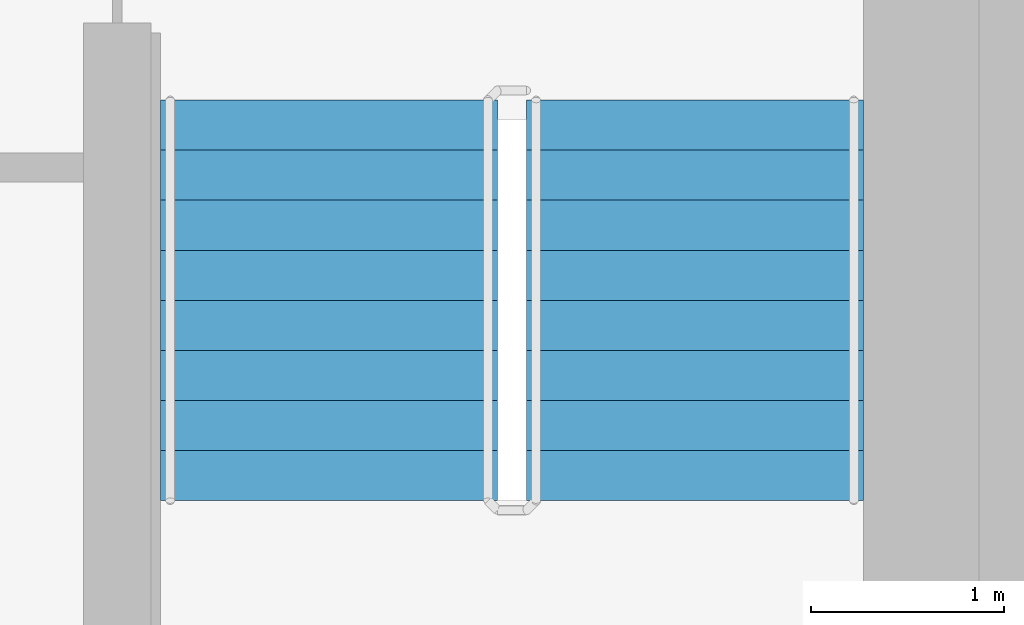
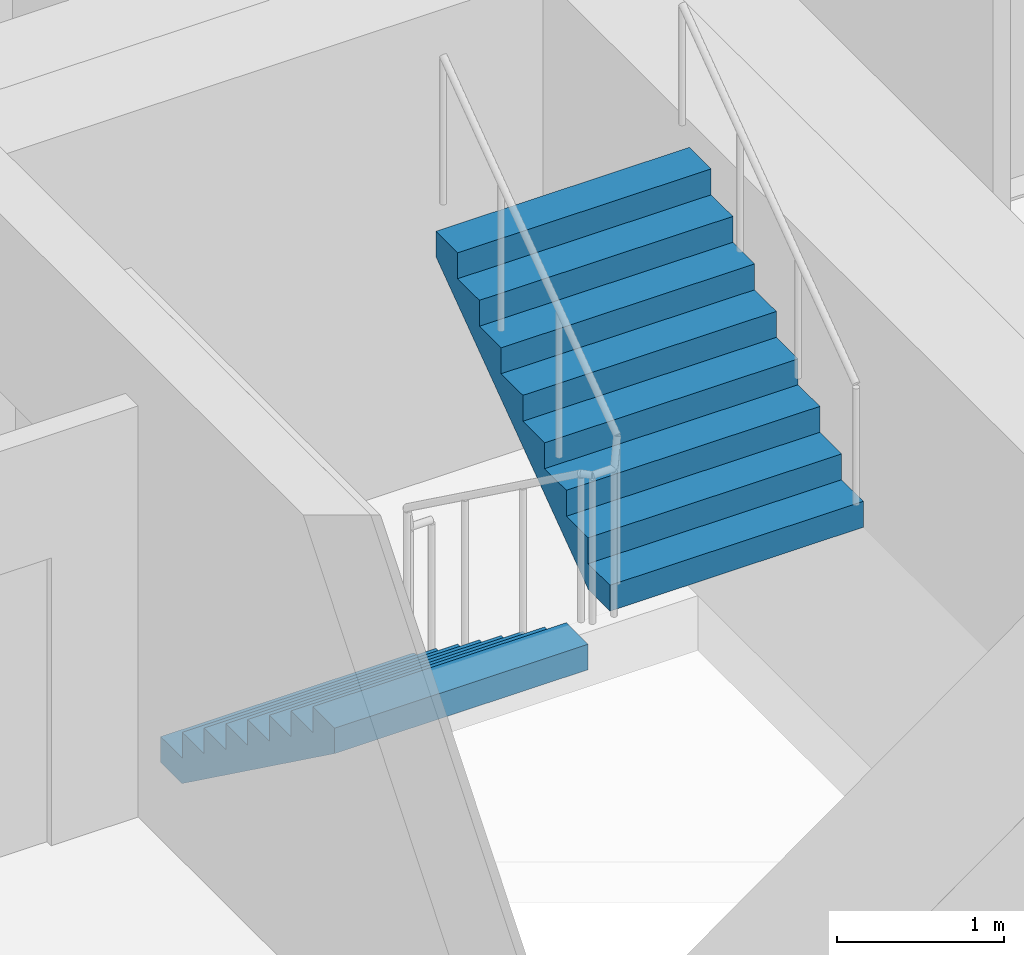
# One storey, part 15 of 19: 2 stair flights, 1 element without a shape of its own.
"""IFC4 building model written with IfcOpenShell, lengths in metres."""

from ifc_helpers import new_model, si_unit, direction, frame, origin, place, context, subcontext, project, spatial, faceted_brep, material, type_object, element, aggregate, save


model = new_model("IFC4")

# Units and contexts
model_context = context("Model", 3, precision=1e-05, world=origin(), true_north=direction((0.0, 1.0)))
body_context = subcontext(model_context, "Body", "Model", "MODEL_VIEW")
ifc_project = project(units=[si_unit("LENGTHUNIT", "METRE"), si_unit("AREAUNIT", "SQUARE_METRE"), si_unit("VOLUMEUNIT", "CUBIC_METRE"), si_unit("PLANEANGLEUNIT", "RADIAN"), si_unit("MASSUNIT", "GRAM", prefix="KILO")], contexts=[model_context])

# Site, building, storey
site_placement = place(None, origin())
site = spatial("IfcSite", under=ifc_project, at=site_placement, CompositionType="ELEMENT")
building_placement = place(site_placement, origin())
building = spatial("IfcBuilding", under=site, at=building_placement, Name="Ipe Terrace Towers", CompositionType="ELEMENT")
storey_placement = place(building_placement, frame((0.0, 0.0, 185.800048828125)))
storey = spatial("IfcBuildingStorey", under=building, at=storey_placement, Name="L51", CompositionType="ELEMENT", Elevation=185.800048828125)

# Stair, stair flights
ifc_material_1 = material(Name="Concrete C30/37", Category="concrete")
stair_type = type_object("IfcStairType", Name="Protected exit stair", PredefinedType="HALF_TURN_STAIR", material=ifc_material_1)
stair_placement = place(storey_placement, origin())
stair = element("IfcStair", 1, at=stair_placement, inside=storey, type_object=stair_type, Name="L51 Exit stair T2-C2", PredefinedType="HALF_TURN_STAIR")
ifc_material_2 = material(Name="Concrete C30/37", Category="concrete")
stair_flight_type = type_object("IfcStairFlightType", Name="Exit stair flight 1750", PredefinedType="STRAIGHT", material=ifc_material_2)
stair_flight_1_placement = place(storey_placement, frame((38.77490234375, -9.699951171875, 0.0), z_axis=(0.0, 0.0, 1.0), x_axis=(0.0, -1.0, 0.0)))
stair_flight_1 = element("IfcStairFlight", 2, at=stair_flight_1_placement, type_object=stair_flight_type, Name="T2-ST2 flight 1", NumberOfRisers=9, NumberOfTreads=8, PredefinedType="STRAIGHT", RiserHeight=0.188888889, TreadLength=0.26, context=body_context, shape_type="Brep", body=[
    faceted_brep([(0.255126953125, -0.875, 0.0), (2.080078125, -0.875, 1.325927734375), (2.080078125, -0.875, 1.51123046875), (1.820068359375, -0.875, 1.51123046875), (1.820068359375, -0.875, 1.322265625), (1.56005859375, -0.875, 1.322265625), (1.56005859375, -0.875, 1.13330078125), (1.300048828125, -0.875, 1.13330078125), (1.300048828125, -0.875, 0.9443359375), (1.0400390625, -0.875, 0.9443359375), (1.0400390625, -0.875, 0.755615234375), (0.780029296875, -0.875, 0.755615234375), (0.780029296875, -0.875, 0.566650390625), (0.52001953125, -0.875, 0.566650390625), (0.52001953125, -0.875, 0.377685546875), (0.260009765625, -0.875, 0.377685546875), (0.260009765625, -0.875, 0.18896484375), (0.0, -0.875, 0.18896484375), (0.0, -0.875, 0.0), (0.0, 0.875, 0.0), (0.0, 0.875, 0.18896484375), (0.260009765625, 0.875, 0.18896484375), (0.260009765625, 0.875, 0.377685546875), (0.52001953125, 0.875, 0.377685546875), (0.52001953125, 0.875, 0.566650390625), (0.780029296875, 0.875, 0.566650390625), (0.780029296875, 0.875, 0.755615234375), (1.0400390625, 0.875, 0.755615234375), (1.0400390625, 0.875, 0.9443359375), (1.300048828125, 0.875, 0.9443359375), (1.300048828125, 0.875, 1.13330078125), (1.56005859375, 0.875, 1.13330078125), (1.56005859375, 0.875, 1.322265625), (1.820068359375, 0.875, 1.322265625), (1.820068359375, 0.875, 1.51123046875), (2.080078125, 0.875, 1.51123046875), (2.080078125, 0.875, 1.325927734375), (0.255126953125, 0.875, 0.0), (0.0, -0.300048828125, 0.18896484375), (0.0, -0.1201171875, 0.18896484375), (0.0, -0.06005859375, 0.18896484375), (0.0, -0.030029296875, 0.18896484375), (0.0, -0.010009765625, 0.18896484375), (0.0, 0.0, 0.18896484375), (0.0, 0.010009765625, 0.18896484375), (0.0, 0.030029296875, 0.18896484375), (0.0, 0.06005859375, 0.18896484375), (0.0, 0.1201171875, 0.18896484375), (0.0, 0.300048828125, 0.18896484375), (0.0, 0.300048828125, 0.0), (0.0, 0.1201171875, 0.0), (0.0, 0.06005859375, 0.0), (0.0, 0.030029296875, 0.0), (0.0, 0.010009765625, 0.0), (0.0, 0.0, 0.0), (0.0, -0.010009765625, 0.0), (0.0, -0.030029296875, 0.0), (0.0, -0.06005859375, 0.0), (0.0, -0.1201171875, 0.0), (0.0, -0.300048828125, 0.0), (0.260009765625, -0.300048828125, 0.18896484375), (0.260009765625, -0.1201171875, 0.18896484375), (0.260009765625, -0.06005859375, 0.18896484375), (0.260009765625, -0.030029296875, 0.18896484375), (0.260009765625, -0.010009765625, 0.18896484375), (0.260009765625, 0.0, 0.18896484375), (0.260009765625, 0.010009765625, 0.18896484375), (0.260009765625, 0.030029296875, 0.18896484375), (0.260009765625, 0.06005859375, 0.18896484375), (0.260009765625, 0.1201171875, 0.18896484375), (0.260009765625, 0.300048828125, 0.18896484375), (0.260009765625, -0.300048828125, 0.377685546875), (0.260009765625, -0.1201171875, 0.377685546875), (0.260009765625, -0.06005859375, 0.377685546875), (0.260009765625, -0.030029296875, 0.377685546875), (0.260009765625, -0.010009765625, 0.377685546875), (0.260009765625, 0.0, 0.377685546875), (0.260009765625, 0.010009765625, 0.377685546875), (0.260009765625, 0.030029296875, 0.377685546875), (0.260009765625, 0.06005859375, 0.377685546875), (0.260009765625, 0.1201171875, 0.377685546875), (0.260009765625, 0.300048828125, 0.377685546875), (0.52001953125, -0.300048828125, 0.377685546875), (0.52001953125, -0.1201171875, 0.377685546875), (0.52001953125, -0.06005859375, 0.377685546875), (0.52001953125, -0.030029296875, 0.377685546875), (0.52001953125, -0.010009765625, 0.377685546875), (0.52001953125, 0.0, 0.377685546875), (0.52001953125, 0.010009765625, 0.377685546875), (0.52001953125, 0.030029296875, 0.377685546875), (0.52001953125, 0.06005859375, 0.377685546875), (0.52001953125, 0.1201171875, 0.377685546875), (0.52001953125, 0.300048828125, 0.377685546875), (0.52001953125, -0.300048828125, 0.566650390625), (0.52001953125, -0.1201171875, 0.566650390625), (0.52001953125, -0.06005859375, 0.566650390625), (0.52001953125, -0.030029296875, 0.566650390625), (0.52001953125, -0.010009765625, 0.566650390625), (0.52001953125, 0.0, 0.566650390625), (0.52001953125, 0.010009765625, 0.566650390625), (0.52001953125, 0.030029296875, 0.566650390625), (0.52001953125, 0.06005859375, 0.566650390625), (0.52001953125, 0.1201171875, 0.566650390625), (0.52001953125, 0.300048828125, 0.566650390625), (0.780029296875, -0.300048828125, 0.566650390625), (0.780029296875, -0.1201171875, 0.566650390625), (0.780029296875, -0.06005859375, 0.566650390625), (0.780029296875, -0.030029296875, 0.566650390625), (0.780029296875, -0.010009765625, 0.566650390625), (0.780029296875, 0.0, 0.566650390625), (0.780029296875, 0.010009765625, 0.566650390625), (0.780029296875, 0.030029296875, 0.566650390625), (0.780029296875, 0.06005859375, 0.566650390625), (0.780029296875, 0.1201171875, 0.566650390625), (0.780029296875, 0.300048828125, 0.566650390625), (0.780029296875, -0.300048828125, 0.755615234375), (0.780029296875, -0.1201171875, 0.755615234375), (0.780029296875, -0.06005859375, 0.755615234375), (0.780029296875, -0.030029296875, 0.755615234375), (0.780029296875, -0.010009765625, 0.755615234375), (0.780029296875, 0.0, 0.755615234375), (0.780029296875, 0.010009765625, 0.755615234375), (0.780029296875, 0.030029296875, 0.755615234375), (0.780029296875, 0.06005859375, 0.755615234375), (0.780029296875, 0.1201171875, 0.755615234375), (0.780029296875, 0.300048828125, 0.755615234375), (1.0400390625, -0.300048828125, 0.755615234375), (1.0400390625, -0.1201171875, 0.755615234375), (1.0400390625, -0.06005859375, 0.755615234375), (1.0400390625, -0.030029296875, 0.755615234375), (1.0400390625, -0.010009765625, 0.755615234375), (1.0400390625, 0.0, 0.755615234375), (1.0400390625, 0.010009765625, 0.755615234375), (1.0400390625, 0.030029296875, 0.755615234375), (1.0400390625, 0.06005859375, 0.755615234375), (1.0400390625, 0.1201171875, 0.755615234375), (1.0400390625, 0.300048828125, 0.755615234375), (1.0400390625, -0.300048828125, 0.9443359375), (1.0400390625, -0.1201171875, 0.9443359375), (1.0400390625, -0.06005859375, 0.9443359375), (1.0400390625, -0.030029296875, 0.9443359375), (1.0400390625, -0.010009765625, 0.9443359375), (1.0400390625, 0.0, 0.9443359375), (1.0400390625, 0.010009765625, 0.9443359375), (1.0400390625, 0.030029296875, 0.9443359375), (1.0400390625, 0.06005859375, 0.9443359375), (1.0400390625, 0.1201171875, 0.9443359375), (1.0400390625, 0.300048828125, 0.9443359375), (1.300048828125, -0.300048828125, 0.9443359375), (1.300048828125, -0.1201171875, 0.9443359375), (1.300048828125, -0.06005859375, 0.9443359375), (1.300048828125, -0.030029296875, 0.9443359375), (1.300048828125, -0.010009765625, 0.9443359375), (1.300048828125, 0.0, 0.9443359375), (1.300048828125, 0.010009765625, 0.9443359375), (1.300048828125, 0.030029296875, 0.9443359375), (1.300048828125, 0.06005859375, 0.9443359375), (1.300048828125, 0.1201171875, 0.9443359375), (1.300048828125, 0.300048828125, 0.9443359375), (1.300048828125, -0.300048828125, 1.13330078125), (1.300048828125, -0.1201171875, 1.13330078125), (1.300048828125, -0.06005859375, 1.13330078125), (1.300048828125, -0.030029296875, 1.13330078125), (1.300048828125, -0.010009765625, 1.13330078125), (1.300048828125, 0.0, 1.13330078125), (1.300048828125, 0.010009765625, 1.13330078125), (1.300048828125, 0.030029296875, 1.13330078125), (1.300048828125, 0.06005859375, 1.13330078125), (1.300048828125, 0.1201171875, 1.13330078125), (1.300048828125, 0.300048828125, 1.13330078125), (1.56005859375, -0.300048828125, 1.13330078125), (1.56005859375, -0.1201171875, 1.13330078125), (1.56005859375, -0.06005859375, 1.13330078125), (1.56005859375, -0.030029296875, 1.13330078125), (1.56005859375, -0.010009765625, 1.13330078125), (1.56005859375, 0.0, 1.13330078125), (1.56005859375, 0.010009765625, 1.13330078125), (1.56005859375, 0.030029296875, 1.13330078125), (1.56005859375, 0.06005859375, 1.13330078125), (1.56005859375, 0.1201171875, 1.13330078125), (1.56005859375, 0.300048828125, 1.13330078125), (1.56005859375, -0.300048828125, 1.322265625), (1.56005859375, -0.1201171875, 1.322265625), (1.56005859375, -0.06005859375, 1.322265625), (1.56005859375, -0.030029296875, 1.322265625), (1.56005859375, -0.010009765625, 1.322265625), (1.56005859375, 0.0, 1.322265625), (1.56005859375, 0.010009765625, 1.322265625), (1.56005859375, 0.030029296875, 1.322265625), (1.56005859375, 0.06005859375, 1.322265625), (1.56005859375, 0.1201171875, 1.322265625), (1.56005859375, 0.300048828125, 1.322265625), (1.820068359375, -0.300048828125, 1.322265625), (1.820068359375, -0.1201171875, 1.322265625), (1.820068359375, -0.06005859375, 1.322265625), (1.820068359375, -0.030029296875, 1.322265625), (1.820068359375, -0.010009765625, 1.322265625), (1.820068359375, 0.0, 1.322265625), (1.820068359375, 0.010009765625, 1.322265625), (1.820068359375, 0.030029296875, 1.322265625), (1.820068359375, 0.06005859375, 1.322265625), (1.820068359375, 0.1201171875, 1.322265625), (1.820068359375, 0.300048828125, 1.322265625), (1.820068359375, -0.300048828125, 1.51123046875), (1.820068359375, -0.1201171875, 1.51123046875), (1.820068359375, -0.06005859375, 1.51123046875), (1.820068359375, -0.030029296875, 1.51123046875), (1.820068359375, -0.010009765625, 1.51123046875), (1.820068359375, 0.0, 1.51123046875), (1.820068359375, 0.010009765625, 1.51123046875), (1.820068359375, 0.030029296875, 1.51123046875), (1.820068359375, 0.06005859375, 1.51123046875), (1.820068359375, 0.1201171875, 1.51123046875), (1.820068359375, 0.300048828125, 1.51123046875), (2.080078125, -0.300048828125, 1.51123046875), (2.080078125, -0.1201171875, 1.51123046875), (2.080078125, -0.06005859375, 1.51123046875), (2.080078125, -0.030029296875, 1.51123046875), (2.080078125, -0.010009765625, 1.51123046875), (2.080078125, 0.0, 1.51123046875), (2.080078125, 0.010009765625, 1.51123046875), (2.080078125, 0.030029296875, 1.51123046875), (2.080078125, 0.06005859375, 1.51123046875), (2.080078125, 0.1201171875, 1.51123046875), (2.080078125, 0.300048828125, 1.51123046875), (2.080078125, -0.300048828125, 1.325927734375), (2.080078125, -0.1201171875, 1.325927734375), (2.080078125, -0.06005859375, 1.325927734375), (2.080078125, -0.030029296875, 1.325927734375), (2.080078125, -0.010009765625, 1.325927734375), (2.080078125, 0.0, 1.325927734375), (2.080078125, 0.010009765625, 1.325927734375), (2.080078125, 0.030029296875, 1.325927734375), (2.080078125, 0.06005859375, 1.325927734375), (2.080078125, 0.1201171875, 1.325927734375), (2.080078125, 0.300048828125, 1.325927734375), (0.255126953125, -0.300048828125, 0.0), (0.255126953125, -0.1201171875, 0.0), (0.255126953125, -0.06005859375, 0.0), (0.255126953125, -0.030029296875, 0.0), (0.255126953125, -0.010009765625, 0.0), (0.255126953125, 0.0, 0.0), (0.255126953125, 0.010009765625, 0.0), (0.255126953125, 0.030029296875, 0.0), (0.255126953125, 0.06005859375, 0.0), (0.255126953125, 0.1201171875, 0.0), (0.255126953125, 0.300048828125, 0.0)], [[[0, 1, 2, 3, 4, 5, 6, 7, 8, 9, 10, 11, 12, 13, 14, 15, 16, 17, 18]], [[19, 20, 21, 22, 23, 24, 25, 26, 27, 28, 29, 30, 31, 32, 33, 34, 35, 36, 37]], [[17, 38, 39, 40, 41, 42, 43, 44, 45, 46, 47, 48, 20, 19, 49, 50, 51, 52, 53, 54, 55, 56, 57, 58, 59, 18]], [[16, 60, 61, 62, 63, 64, 65, 66, 67, 68, 69, 70, 21, 20, 48, 47, 46, 45, 44, 43, 42, 41, 40, 39, 38, 17]], [[15, 71, 72, 73, 74, 75, 76, 77, 78, 79, 80, 81, 22, 21, 70, 69, 68, 67, 66, 65, 64, 63, 62, 61, 60, 16]], [[14, 82, 83, 84, 85, 86, 87, 88, 89, 90, 91, 92, 23, 22, 81, 80, 79, 78, 77, 76, 75, 74, 73, 72, 71, 15]], [[13, 93, 94, 95, 96, 97, 98, 99, 100, 101, 102, 103, 24, 23, 92, 91, 90, 89, 88, 87, 86, 85, 84, 83, 82, 14]], [[12, 104, 105, 106, 107, 108, 109, 110, 111, 112, 113, 114, 25, 24, 103, 102, 101, 100, 99, 98, 97, 96, 95, 94, 93, 13]], [[11, 115, 116, 117, 118, 119, 120, 121, 122, 123, 124, 125, 26, 25, 114, 113, 112, 111, 110, 109, 108, 107, 106, 105, 104, 12]], [[10, 126, 127, 128, 129, 130, 131, 132, 133, 134, 135, 136, 27, 26, 125, 124, 123, 122, 121, 120, 119, 118, 117, 116, 115, 11]], [[9, 137, 138, 139, 140, 141, 142, 143, 144, 145, 146, 147, 28, 27, 136, 135, 134, 133, 132, 131, 130, 129, 128, 127, 126, 10]], [[8, 148, 149, 150, 151, 152, 153, 154, 155, 156, 157, 158, 29, 28, 147, 146, 145, 144, 143, 142, 141, 140, 139, 138, 137, 9]], [[7, 159, 160, 161, 162, 163, 164, 165, 166, 167, 168, 169, 30, 29, 158, 157, 156, 155, 154, 153, 152, 151, 150, 149, 148, 8]], [[6, 170, 171, 172, 173, 174, 175, 176, 177, 178, 179, 180, 31, 30, 169, 168, 167, 166, 165, 164, 163, 162, 161, 160, 159, 7]], [[5, 181, 182, 183, 184, 185, 186, 187, 188, 189, 190, 191, 32, 31, 180, 179, 178, 177, 176, 175, 174, 173, 172, 171, 170, 6]], [[4, 192, 193, 194, 195, 196, 197, 198, 199, 200, 201, 202, 33, 32, 191, 190, 189, 188, 187, 186, 185, 184, 183, 182, 181, 5]], [[3, 203, 204, 205, 206, 207, 208, 209, 210, 211, 212, 213, 34, 33, 202, 201, 200, 199, 198, 197, 196, 195, 194, 193, 192, 4]], [[2, 214, 215, 216, 217, 218, 219, 220, 221, 222, 223, 224, 35, 34, 213, 212, 211, 210, 209, 208, 207, 206, 205, 204, 203, 3]], [[1, 225, 226, 227, 228, 229, 230, 231, 232, 233, 234, 235, 36, 35, 224, 223, 222, 221, 220, 219, 218, 217, 216, 215, 214, 2]], [[0, 236, 237, 238, 239, 240, 241, 242, 243, 244, 245, 246, 37, 36, 235, 234, 233, 232, 231, 230, 229, 228, 227, 226, 225, 1]], [[18, 59, 58, 57, 56, 55, 54, 53, 52, 51, 50, 49, 19, 37, 246, 245, 244, 243, 242, 241, 240, 239, 238, 237, 236, 0]]]),
])
stair_flight_2_placement = place(storey_placement, frame((40.675048828125, -11.780029296875, 1.699951171875), z_axis=(0.0, 0.0, 1.0), x_axis=(0.0, 1.0, 0.0)))
stair_flight_2 = element("IfcStairFlight", 3, at=stair_flight_2_placement, type_object=stair_flight_type, Name="T2-ST2 flight 2", NumberOfRisers=9, NumberOfTreads=8, PredefinedType="STRAIGHT", RiserHeight=0.188888889, TreadLength=0.26, context=body_context, shape_type="Brep", body=[
    faceted_brep([(0.255126953125, -0.875, 0.0), (2.080078125, -0.875, 1.325927734375), (2.080078125, -0.875, 1.51123046875), (1.820068359375, -0.875, 1.51123046875), (1.820068359375, -0.875, 1.322265625), (1.56005859375, -0.875, 1.322265625), (1.56005859375, -0.875, 1.13330078125), (1.300048828125, -0.875, 1.13330078125), (1.300048828125, -0.875, 0.9443359375), (1.0400390625, -0.875, 0.9443359375), (1.0400390625, -0.875, 0.755615234375), (0.780029296875, -0.875, 0.755615234375), (0.780029296875, -0.875, 0.566650390625), (0.52001953125, -0.875, 0.566650390625), (0.52001953125, -0.875, 0.377685546875), (0.260009765625, -0.875, 0.377685546875), (0.260009765625, -0.875, 0.18896484375), (0.0, -0.875, 0.18896484375), (0.0, -0.875, 0.0), (0.0, 0.875, 0.0), (0.0, 0.875, 0.18896484375), (0.260009765625, 0.875, 0.18896484375), (0.260009765625, 0.875, 0.377685546875), (0.52001953125, 0.875, 0.377685546875), (0.52001953125, 0.875, 0.566650390625), (0.780029296875, 0.875, 0.566650390625), (0.780029296875, 0.875, 0.755615234375), (1.0400390625, 0.875, 0.755615234375), (1.0400390625, 0.875, 0.9443359375), (1.300048828125, 0.875, 0.9443359375), (1.300048828125, 0.875, 1.13330078125), (1.56005859375, 0.875, 1.13330078125), (1.56005859375, 0.875, 1.322265625), (1.820068359375, 0.875, 1.322265625), (1.820068359375, 0.875, 1.51123046875), (2.080078125, 0.875, 1.51123046875), (2.080078125, 0.875, 1.325927734375), (0.255126953125, 0.875, 0.0), (0.0, -0.300048828125, 0.18896484375), (0.0, -0.1201171875, 0.18896484375), (0.0, -0.06005859375, 0.18896484375), (0.0, -0.030029296875, 0.18896484375), (0.0, -0.010009765625, 0.18896484375), (0.0, 0.0, 0.18896484375), (0.0, 0.010009765625, 0.18896484375), (0.0, 0.030029296875, 0.18896484375), (0.0, 0.06005859375, 0.18896484375), (0.0, 0.1201171875, 0.18896484375), (0.0, 0.300048828125, 0.18896484375), (0.0, 0.300048828125, 0.0), (0.0, 0.1201171875, 0.0), (0.0, 0.06005859375, 0.0), (0.0, 0.030029296875, 0.0), (0.0, 0.010009765625, 0.0), (0.0, 0.0, 0.0), (0.0, -0.010009765625, 0.0), (0.0, -0.030029296875, 0.0), (0.0, -0.06005859375, 0.0), (0.0, -0.1201171875, 0.0), (0.0, -0.300048828125, 0.0), (0.260009765625, -0.300048828125, 0.18896484375), (0.260009765625, -0.1201171875, 0.18896484375), (0.260009765625, -0.06005859375, 0.18896484375), (0.260009765625, -0.030029296875, 0.18896484375), (0.260009765625, -0.010009765625, 0.18896484375), (0.260009765625, 0.0, 0.18896484375), (0.260009765625, 0.010009765625, 0.18896484375), (0.260009765625, 0.030029296875, 0.18896484375), (0.260009765625, 0.06005859375, 0.18896484375), (0.260009765625, 0.1201171875, 0.18896484375), (0.260009765625, 0.300048828125, 0.18896484375), (0.260009765625, -0.300048828125, 0.377685546875), (0.260009765625, -0.1201171875, 0.377685546875), (0.260009765625, -0.06005859375, 0.377685546875), (0.260009765625, -0.030029296875, 0.377685546875), (0.260009765625, -0.010009765625, 0.377685546875), (0.260009765625, 0.0, 0.377685546875), (0.260009765625, 0.010009765625, 0.377685546875), (0.260009765625, 0.030029296875, 0.377685546875), (0.260009765625, 0.06005859375, 0.377685546875), (0.260009765625, 0.1201171875, 0.377685546875), (0.260009765625, 0.300048828125, 0.377685546875), (0.52001953125, -0.300048828125, 0.377685546875), (0.52001953125, -0.1201171875, 0.377685546875), (0.52001953125, -0.06005859375, 0.377685546875), (0.52001953125, -0.030029296875, 0.377685546875), (0.52001953125, -0.010009765625, 0.377685546875), (0.52001953125, 0.0, 0.377685546875), (0.52001953125, 0.010009765625, 0.377685546875), (0.52001953125, 0.030029296875, 0.377685546875), (0.52001953125, 0.06005859375, 0.377685546875), (0.52001953125, 0.1201171875, 0.377685546875), (0.52001953125, 0.300048828125, 0.377685546875), (0.52001953125, -0.300048828125, 0.566650390625), (0.52001953125, -0.1201171875, 0.566650390625), (0.52001953125, -0.06005859375, 0.566650390625), (0.52001953125, -0.030029296875, 0.566650390625), (0.52001953125, -0.010009765625, 0.566650390625), (0.52001953125, 0.0, 0.566650390625), (0.52001953125, 0.010009765625, 0.566650390625), (0.52001953125, 0.030029296875, 0.566650390625), (0.52001953125, 0.06005859375, 0.566650390625), (0.52001953125, 0.1201171875, 0.566650390625), (0.52001953125, 0.300048828125, 0.566650390625), (0.780029296875, -0.300048828125, 0.566650390625), (0.780029296875, -0.1201171875, 0.566650390625), (0.780029296875, -0.06005859375, 0.566650390625), (0.780029296875, -0.030029296875, 0.566650390625), (0.780029296875, -0.010009765625, 0.566650390625), (0.780029296875, 0.0, 0.566650390625), (0.780029296875, 0.010009765625, 0.566650390625), (0.780029296875, 0.030029296875, 0.566650390625), (0.780029296875, 0.06005859375, 0.566650390625), (0.780029296875, 0.1201171875, 0.566650390625), (0.780029296875, 0.300048828125, 0.566650390625), (0.780029296875, -0.300048828125, 0.755615234375), (0.780029296875, -0.1201171875, 0.755615234375), (0.780029296875, -0.06005859375, 0.755615234375), (0.780029296875, -0.030029296875, 0.755615234375), (0.780029296875, -0.010009765625, 0.755615234375), (0.780029296875, 0.0, 0.755615234375), (0.780029296875, 0.010009765625, 0.755615234375), (0.780029296875, 0.030029296875, 0.755615234375), (0.780029296875, 0.06005859375, 0.755615234375), (0.780029296875, 0.1201171875, 0.755615234375), (0.780029296875, 0.300048828125, 0.755615234375), (1.0400390625, -0.300048828125, 0.755615234375), (1.0400390625, -0.1201171875, 0.755615234375), (1.0400390625, -0.06005859375, 0.755615234375), (1.0400390625, -0.030029296875, 0.755615234375), (1.0400390625, -0.010009765625, 0.755615234375), (1.0400390625, 0.0, 0.755615234375), (1.0400390625, 0.010009765625, 0.755615234375), (1.0400390625, 0.030029296875, 0.755615234375), (1.0400390625, 0.06005859375, 0.755615234375), (1.0400390625, 0.1201171875, 0.755615234375), (1.0400390625, 0.300048828125, 0.755615234375), (1.0400390625, -0.300048828125, 0.9443359375), (1.0400390625, -0.1201171875, 0.9443359375), (1.0400390625, -0.06005859375, 0.9443359375), (1.0400390625, -0.030029296875, 0.9443359375), (1.0400390625, -0.010009765625, 0.9443359375), (1.0400390625, 0.0, 0.9443359375), (1.0400390625, 0.010009765625, 0.9443359375), (1.0400390625, 0.030029296875, 0.9443359375), (1.0400390625, 0.06005859375, 0.9443359375), (1.0400390625, 0.1201171875, 0.9443359375), (1.0400390625, 0.300048828125, 0.9443359375), (1.300048828125, -0.300048828125, 0.9443359375), (1.300048828125, -0.1201171875, 0.9443359375), (1.300048828125, -0.06005859375, 0.9443359375), (1.300048828125, -0.030029296875, 0.9443359375), (1.300048828125, -0.010009765625, 0.9443359375), (1.300048828125, 0.0, 0.9443359375), (1.300048828125, 0.010009765625, 0.9443359375), (1.300048828125, 0.030029296875, 0.9443359375), (1.300048828125, 0.06005859375, 0.9443359375), (1.300048828125, 0.1201171875, 0.9443359375), (1.300048828125, 0.300048828125, 0.9443359375), (1.300048828125, -0.300048828125, 1.13330078125), (1.300048828125, -0.1201171875, 1.13330078125), (1.300048828125, -0.06005859375, 1.13330078125), (1.300048828125, -0.030029296875, 1.13330078125), (1.300048828125, -0.010009765625, 1.13330078125), (1.300048828125, 0.0, 1.13330078125), (1.300048828125, 0.010009765625, 1.13330078125), (1.300048828125, 0.030029296875, 1.13330078125), (1.300048828125, 0.06005859375, 1.13330078125), (1.300048828125, 0.1201171875, 1.13330078125), (1.300048828125, 0.300048828125, 1.13330078125), (1.56005859375, -0.300048828125, 1.13330078125), (1.56005859375, -0.1201171875, 1.13330078125), (1.56005859375, -0.06005859375, 1.13330078125), (1.56005859375, -0.030029296875, 1.13330078125), (1.56005859375, -0.010009765625, 1.13330078125), (1.56005859375, 0.0, 1.13330078125), (1.56005859375, 0.010009765625, 1.13330078125), (1.56005859375, 0.030029296875, 1.13330078125), (1.56005859375, 0.06005859375, 1.13330078125), (1.56005859375, 0.1201171875, 1.13330078125), (1.56005859375, 0.300048828125, 1.13330078125), (1.56005859375, -0.300048828125, 1.322265625), (1.56005859375, -0.1201171875, 1.322265625), (1.56005859375, -0.06005859375, 1.322265625), (1.56005859375, -0.030029296875, 1.322265625), (1.56005859375, -0.010009765625, 1.322265625), (1.56005859375, 0.0, 1.322265625), (1.56005859375, 0.010009765625, 1.322265625), (1.56005859375, 0.030029296875, 1.322265625), (1.56005859375, 0.06005859375, 1.322265625), (1.56005859375, 0.1201171875, 1.322265625), (1.56005859375, 0.300048828125, 1.322265625), (1.820068359375, -0.300048828125, 1.322265625), (1.820068359375, -0.1201171875, 1.322265625), (1.820068359375, -0.06005859375, 1.322265625), (1.820068359375, -0.030029296875, 1.322265625), (1.820068359375, -0.010009765625, 1.322265625), (1.820068359375, 0.0, 1.322265625), (1.820068359375, 0.010009765625, 1.322265625), (1.820068359375, 0.030029296875, 1.322265625), (1.820068359375, 0.06005859375, 1.322265625), (1.820068359375, 0.1201171875, 1.322265625), (1.820068359375, 0.300048828125, 1.322265625), (1.820068359375, -0.300048828125, 1.51123046875), (1.820068359375, -0.1201171875, 1.51123046875), (1.820068359375, -0.06005859375, 1.51123046875), (1.820068359375, -0.030029296875, 1.51123046875), (1.820068359375, -0.010009765625, 1.51123046875), (1.820068359375, 0.0, 1.51123046875), (1.820068359375, 0.010009765625, 1.51123046875), (1.820068359375, 0.030029296875, 1.51123046875), (1.820068359375, 0.06005859375, 1.51123046875), (1.820068359375, 0.1201171875, 1.51123046875), (1.820068359375, 0.300048828125, 1.51123046875), (2.080078125, -0.300048828125, 1.51123046875), (2.080078125, -0.1201171875, 1.51123046875), (2.080078125, -0.06005859375, 1.51123046875), (2.080078125, -0.030029296875, 1.51123046875), (2.080078125, -0.010009765625, 1.51123046875), (2.080078125, 0.0, 1.51123046875), (2.080078125, 0.010009765625, 1.51123046875), (2.080078125, 0.030029296875, 1.51123046875), (2.080078125, 0.06005859375, 1.51123046875), (2.080078125, 0.1201171875, 1.51123046875), (2.080078125, 0.300048828125, 1.51123046875), (2.080078125, -0.300048828125, 1.325927734375), (2.080078125, -0.1201171875, 1.325927734375), (2.080078125, -0.06005859375, 1.325927734375), (2.080078125, -0.030029296875, 1.325927734375), (2.080078125, -0.010009765625, 1.325927734375), (2.080078125, 0.0, 1.325927734375), (2.080078125, 0.010009765625, 1.325927734375), (2.080078125, 0.030029296875, 1.325927734375), (2.080078125, 0.06005859375, 1.325927734375), (2.080078125, 0.1201171875, 1.325927734375), (2.080078125, 0.300048828125, 1.325927734375), (0.255126953125, -0.300048828125, 0.0), (0.255126953125, -0.1201171875, 0.0), (0.255126953125, -0.06005859375, 0.0), (0.255126953125, -0.030029296875, 0.0), (0.255126953125, -0.010009765625, 0.0), (0.255126953125, 0.0, 0.0), (0.255126953125, 0.010009765625, 0.0), (0.255126953125, 0.030029296875, 0.0), (0.255126953125, 0.06005859375, 0.0), (0.255126953125, 0.1201171875, 0.0), (0.255126953125, 0.300048828125, 0.0)], [[[0, 1, 2, 3, 4, 5, 6, 7, 8, 9, 10, 11, 12, 13, 14, 15, 16, 17, 18]], [[19, 20, 21, 22, 23, 24, 25, 26, 27, 28, 29, 30, 31, 32, 33, 34, 35, 36, 37]], [[17, 38, 39, 40, 41, 42, 43, 44, 45, 46, 47, 48, 20, 19, 49, 50, 51, 52, 53, 54, 55, 56, 57, 58, 59, 18]], [[16, 60, 61, 62, 63, 64, 65, 66, 67, 68, 69, 70, 21, 20, 48, 47, 46, 45, 44, 43, 42, 41, 40, 39, 38, 17]], [[15, 71, 72, 73, 74, 75, 76, 77, 78, 79, 80, 81, 22, 21, 70, 69, 68, 67, 66, 65, 64, 63, 62, 61, 60, 16]], [[14, 82, 83, 84, 85, 86, 87, 88, 89, 90, 91, 92, 23, 22, 81, 80, 79, 78, 77, 76, 75, 74, 73, 72, 71, 15]], [[13, 93, 94, 95, 96, 97, 98, 99, 100, 101, 102, 103, 24, 23, 92, 91, 90, 89, 88, 87, 86, 85, 84, 83, 82, 14]], [[12, 104, 105, 106, 107, 108, 109, 110, 111, 112, 113, 114, 25, 24, 103, 102, 101, 100, 99, 98, 97, 96, 95, 94, 93, 13]], [[11, 115, 116, 117, 118, 119, 120, 121, 122, 123, 124, 125, 26, 25, 114, 113, 112, 111, 110, 109, 108, 107, 106, 105, 104, 12]], [[10, 126, 127, 128, 129, 130, 131, 132, 133, 134, 135, 136, 27, 26, 125, 124, 123, 122, 121, 120, 119, 118, 117, 116, 115, 11]], [[9, 137, 138, 139, 140, 141, 142, 143, 144, 145, 146, 147, 28, 27, 136, 135, 134, 133, 132, 131, 130, 129, 128, 127, 126, 10]], [[8, 148, 149, 150, 151, 152, 153, 154, 155, 156, 157, 158, 29, 28, 147, 146, 145, 144, 143, 142, 141, 140, 139, 138, 137, 9]], [[7, 159, 160, 161, 162, 163, 164, 165, 166, 167, 168, 169, 30, 29, 158, 157, 156, 155, 154, 153, 152, 151, 150, 149, 148, 8]], [[6, 170, 171, 172, 173, 174, 175, 176, 177, 178, 179, 180, 31, 30, 169, 168, 167, 166, 165, 164, 163, 162, 161, 160, 159, 7]], [[5, 181, 182, 183, 184, 185, 186, 187, 188, 189, 190, 191, 32, 31, 180, 179, 178, 177, 176, 175, 174, 173, 172, 171, 170, 6]], [[4, 192, 193, 194, 195, 196, 197, 198, 199, 200, 201, 202, 33, 32, 191, 190, 189, 188, 187, 186, 185, 184, 183, 182, 181, 5]], [[3, 203, 204, 205, 206, 207, 208, 209, 210, 211, 212, 213, 34, 33, 202, 201, 200, 199, 198, 197, 196, 195, 194, 193, 192, 4]], [[2, 214, 215, 216, 217, 218, 219, 220, 221, 222, 223, 224, 35, 34, 213, 212, 211, 210, 209, 208, 207, 206, 205, 204, 203, 3]], [[1, 225, 226, 227, 228, 229, 230, 231, 232, 233, 234, 235, 36, 35, 224, 223, 222, 221, 220, 219, 218, 217, 216, 215, 214, 2]], [[0, 236, 237, 238, 239, 240, 241, 242, 243, 244, 245, 246, 37, 36, 235, 234, 233, 232, 231, 230, 229, 228, 227, 226, 225, 1]], [[18, 59, 58, 57, 56, 55, 54, 53, 52, 51, 50, 49, 19, 37, 246, 245, 244, 243, 242, 241, 240, 239, 238, 237, 236, 0]]]),
])
aggregate(stair, [stair_flight_1, stair_flight_2])

save(model, "model.ifc")
